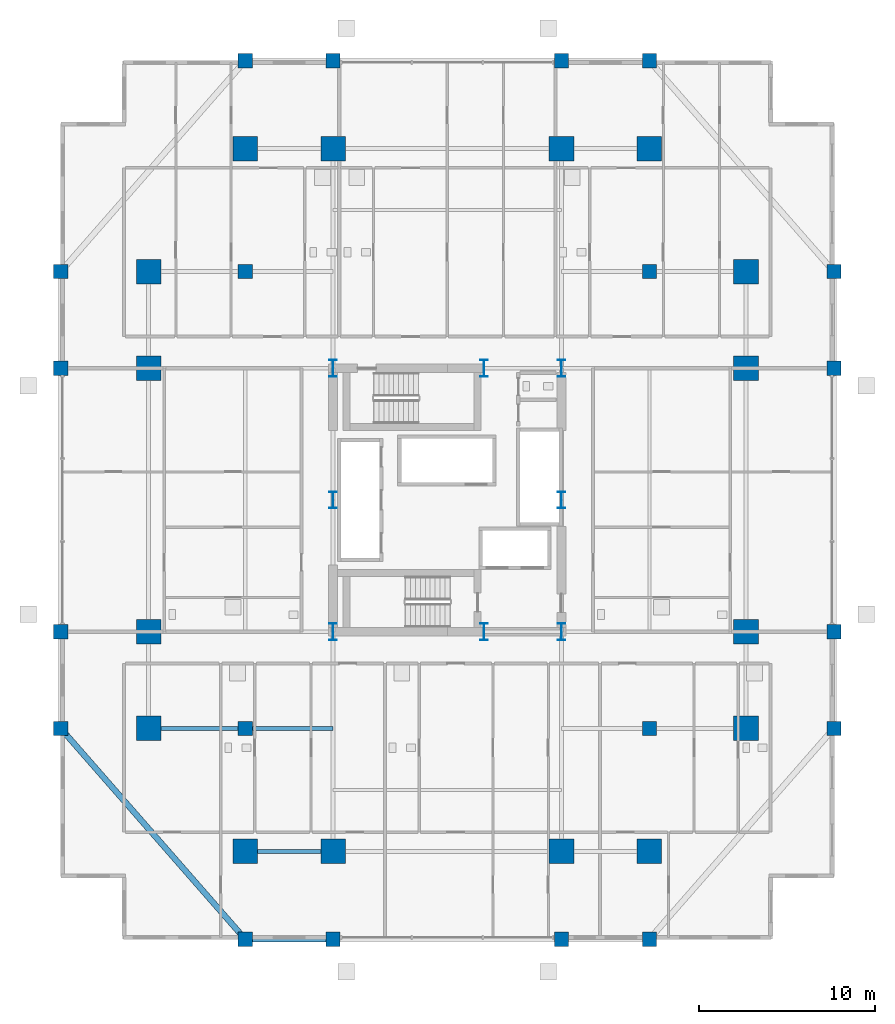
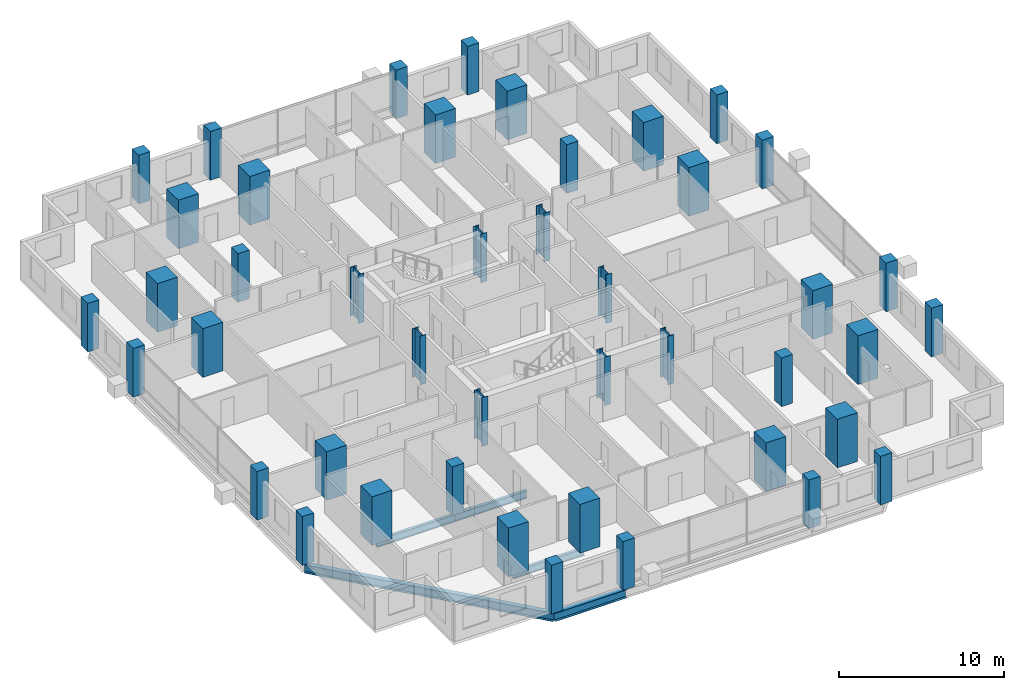
# One storey, part 1 of 24: 44 columns, 5 beams.
"""IFC4 building model written with IfcOpenShell, lengths in metres."""

from ifc_helpers import new_model, si_unit, direction, frame, origin, origin_2d, place, context, subcontext, project, spatial, rectangle, i_section, extrude, material, material_profile, profile_set, type_object, element, save


model = new_model("IFC4")

# Units and contexts
model_context = context("Model", 3, precision=1e-05, world=origin(), true_north=direction((0.0, 1.0)))
body_context = subcontext(model_context, "Body", "Model", "MODEL_VIEW")
ifc_project = project(units=[si_unit("LENGTHUNIT", "METRE"), si_unit("AREAUNIT", "SQUARE_METRE"), si_unit("VOLUMEUNIT", "CUBIC_METRE"), si_unit("PLANEANGLEUNIT", "RADIAN"), si_unit("MASSUNIT", "GRAM", prefix="KILO")], contexts=[model_context])

# Site, building, storey
site_placement = place(None, origin())
site = spatial("IfcSite", under=ifc_project, at=site_placement, CompositionType="ELEMENT")
building_placement = place(site_placement, origin())
building = spatial("IfcBuilding", under=site, at=building_placement, Name="Barlavira Tower and Art Museum", CompositionType="ELEMENT")
storey_placement = place(building_placement, frame((0.0, 0.0, 43.199951171875)))
storey = spatial("IfcBuildingStorey", under=building, at=storey_placement, Name="L09", CompositionType="ELEMENT", Elevation=43.199951171875)

# Columns
ifc_material_1 = material(Name="Steel S355", Category="steel")
ifc_material_profile_1 = material_profile(ifc_material_1, i_section(OverallWidth=0.419921875, OverallDepth=0.9599609375, WebThickness=0.02197265625, FlangeThickness=0.033935546875, at=origin_2d()), Name="W920x387.0")
ifc_profile_set_1 = profile_set([ifc_material_profile_1], Name="Steel S355")
column_type_1 = type_object("IfcColumnType", Name="Core Composite Column W920x387 Steel S355", PredefinedType="COLUMN", material=ifc_profile_set_1)
for number, where, z_axis, x_axis, name in (
    (1, (-6.5, -7.5, 0.0), (0.0, 0.0, 1.0), (1.0, 0.0, 0.0), "L09 Column CC-L09-C1"),
    (2, (2.080078125, -7.5, 0.0), (0.0, 0.0, 1.0), (1.0, 0.0, 0.0), "L09 Column CC-L09-C2"),
    (3, (6.5, -7.5, 0.0), (0.0, 0.0, 1.0), (1.0, 0.0, 0.0), "L09 Column CC-L09-C3"),
    (4, (-6.5, 0.0, 0.0), (0.0, 0.0, 1.0), (1.0, 0.0, 0.0), "L09 Column CC-L09-C4"),
    (5, (6.5, 0.0, 0.0), (0.0, 0.0, 1.0), (1.0, 0.0, 0.0), "L09 Column CC-L09-C5"),
    (6, (-6.5, 7.5, 0.0), (0.0, 0.0, 1.0), (1.0, 0.0, 0.0), "L09 Column CC-L09-C6"),
    (7, (2.080078125, 7.5, 0.0), (0.0, 0.0, 1.0), (1.0, 0.0, 0.0), "L09 Column CC-L09-C7"),
    (8, (6.5, 7.5, 0.0), (0.0, 0.0, 1.0), (1.0, 0.0, 0.0), "L09 Column CC-L09-C8"),
):
    element("IfcColumn", number, at=place(storey_placement, frame(where, z_axis=z_axis, x_axis=x_axis)), inside=storey, type_object=column_type_1, Name=name, PredefinedType="COLUMN", context=body_context, shape_type="SweptSolid", body=[
        extrude(i_section(OverallWidth=0.419921875, OverallDepth=0.9599609375, WebThickness=0.02197265625, FlangeThickness=0.033935546875, at=origin_2d()), origin(), (0.0, 0.0, 1.0), 3.60009765625),
    ])
ifc_material_2 = material(Name="Concrete C60", Category="concrete")
ifc_material_profile_2 = material_profile(ifc_material_2, rectangle(XDim=1.39990234375, YDim=1.39990234375, at=origin_2d()), Name="RC-MCOL 1400x1400")
ifc_profile_set_2 = profile_set([ifc_material_profile_2], Name="Concrete C60")
column_type_2 = type_object("IfcColumnType", Name="Perimeter Mega Column 1400x1400 Concrete C60", PredefinedType="USERDEFINED", material=ifc_profile_set_2)
for number, where, z_axis, x_axis, name in (
    (9, (-11.5, -20.0, 0.0), (0.0, 0.0, 1.0), (1.0, 0.0, 0.0), "L09 Column MC-L09-M01"),
    (10, (-6.5, -20.0, 0.0), (0.0, 0.0, 1.0), (1.0, 0.0, 0.0), "L09 Column MC-L09-M02"),
    (11, (6.5, -20.0, 0.0), (0.0, 0.0, 1.0), (1.0, 0.0, 0.0), "L09 Column MC-L09-M03"),
    (12, (11.5, -20.0, 0.0), (0.0, 0.0, 1.0), (1.0, 0.0, 0.0), "L09 Column MC-L09-M04"),
    (13, (17.0, -13.0, 0.0), (0.0, 0.0, 1.0), (1.0, 0.0, 0.0), "L09 Column MC-L09-M05"),
    (14, (17.0, -7.5, 0.0), (0.0, 0.0, 1.0), (1.0, 0.0, 0.0), "L09 Column MC-L09-M06"),
    (15, (17.0, 7.5, 0.0), (0.0, 0.0, 1.0), (1.0, 0.0, 0.0), "L09 Column MC-L09-M07"),
    (16, (17.0, 13.0, 0.0), (0.0, 0.0, 1.0), (1.0, 0.0, 0.0), "L09 Column MC-L09-M08"),
    (17, (11.5, 20.0, 0.0), (0.0, 0.0, 1.0), (1.0, 0.0, 0.0), "L09 Column MC-L09-M09"),
    (18, (6.5, 20.0, 0.0), (0.0, 0.0, 1.0), (1.0, 0.0, 0.0), "L09 Column MC-L09-M10"),
    (19, (-6.5, 20.0, 0.0), (0.0, 0.0, 1.0), (1.0, 0.0, 0.0), "L09 Column MC-L09-M11"),
    (20, (-11.5, 20.0, 0.0), (0.0, 0.0, 1.0), (1.0, 0.0, 0.0), "L09 Column MC-L09-M12"),
    (21, (-17.0, 13.0, 0.0), (0.0, 0.0, 1.0), (1.0, 0.0, 0.0), "L09 Column MC-L09-M13"),
    (22, (-17.0, 7.5, 0.0), (0.0, 0.0, 1.0), (1.0, 0.0, 0.0), "L09 Column MC-L09-M14"),
    (23, (-17.0, -7.5, 0.0), (0.0, 0.0, 1.0), (1.0, 0.0, 0.0), "L09 Column MC-L09-M15"),
    (24, (-17.0, -13.0, 0.0), (0.0, 0.0, 1.0), (1.0, 0.0, 0.0), "L09 Column MC-L09-M16"),
):
    element("IfcColumn", number, at=place(storey_placement, frame(where, z_axis=z_axis, x_axis=x_axis)), inside=storey, type_object=column_type_2, Name=name, ObjectType="MEGA COLUMN", PredefinedType="USERDEFINED", context=body_context, shape_type="SweptSolid", body=[
        extrude(rectangle(XDim=1.39990234375, YDim=1.39990234375, at=origin_2d()), origin(), (0.0, 0.0, 1.0), 3.60009765625),
    ])
ifc_material_3 = material(Name="Concrete C50", Category="concrete")
ifc_material_profile_3 = material_profile(ifc_material_3, rectangle(XDim=0.800048828125, YDim=0.800048828125, at=origin_2d()), Name="RC-COL 800x800")
ifc_profile_set_3 = profile_set([ifc_material_profile_3], Name="Concrete C50")
column_type_3 = type_object("IfcColumnType", Name="Podium Frame Column 800x800 Concrete C50", PredefinedType="COLUMN", material=ifc_profile_set_3)
for number, where, z_axis, x_axis, name in (
    (25, (-11.5, -13.0, 0.0), (0.0, 0.0, 1.0), (1.0, 0.0, 0.0), "L09 Column CI-L09-I1"),
    (26, (11.5, -13.0, 0.0), (0.0, 0.0, 1.0), (1.0, 0.0, 0.0), "L09 Column CI-L09-I2"),
    (27, (-11.5, 13.0, 0.0), (0.0, 0.0, 1.0), (1.0, 0.0, 0.0), "L09 Column CI-L09-I3"),
    (28, (11.5, 13.0, 0.0), (0.0, 0.0, 1.0), (1.0, 0.0, 0.0), "L09 Column CI-L09-I4"),
    (29, (-11.5, -25.0, 0.0), (0.0, 0.0, 1.0), (1.0, 0.0, 0.0), "L09 Column CZ1-L09-N01"),
    (30, (-6.5, -25.0, 0.0), (0.0, 0.0, 1.0), (1.0, 0.0, 0.0), "L09 Column CZ1-L09-N02"),
    (31, (6.5, -25.0, 0.0), (0.0, 0.0, 1.0), (1.0, 0.0, 0.0), "L09 Column CZ1-L09-N02B"),
    (32, (11.5, -25.0, 0.0), (0.0, 0.0, 1.0), (1.0, 0.0, 0.0), "L09 Column CZ1-L09-N03"),
    (33, (-22.0, -13.0, 0.0), (0.0, 0.0, 1.0), (1.0, 0.0, 0.0), "L09 Column CZ1-L09-N04"),
    (34, (-22.0, -7.5, 0.0), (0.0, 0.0, 1.0), (1.0, 0.0, 0.0), "L09 Column CZ1-L09-N05"),
    (35, (-22.0, 7.5, 0.0), (0.0, 0.0, 1.0), (1.0, 0.0, 0.0), "L09 Column CZ1-L09-N05B"),
    (36, (-22.0, 13.0, 0.0), (0.0, 0.0, 1.0), (1.0, 0.0, 0.0), "L09 Column CZ1-L09-N06"),
    (37, (-11.5, 25.0, 0.0), (0.0, 0.0, 1.0), (1.0, 0.0, 0.0), "L09 Column CZ1-L09-N07"),
    (38, (-6.5, 25.0, 0.0), (0.0, 0.0, 1.0), (1.0, 0.0, 0.0), "L09 Column CZ1-L09-N08"),
    (39, (6.5, 25.0, 0.0), (0.0, 0.0, 1.0), (1.0, 0.0, 0.0), "L09 Column CZ1-L09-N08B"),
    (40, (11.5, 25.0, 0.0), (0.0, 0.0, 1.0), (1.0, 0.0, 0.0), "L09 Column CZ1-L09-N09"),
    (41, (22.0, -13.0, 0.0), (0.0, 0.0, 1.0), (1.0, 0.0, 0.0), "L09 Column CZ1-L09-N10"),
    (42, (22.0, -7.5, 0.0), (0.0, 0.0, 1.0), (1.0, 0.0, 0.0), "L09 Column CZ1-L09-N11"),
    (43, (22.0, 7.5, 0.0), (0.0, 0.0, 1.0), (1.0, 0.0, 0.0), "L09 Column CZ1-L09-N11B"),
    (44, (22.0, 13.0, 0.0), (0.0, 0.0, 1.0), (1.0, 0.0, 0.0), "L09 Column CZ1-L09-N12"),
):
    element("IfcColumn", number, at=place(storey_placement, frame(where, z_axis=z_axis, x_axis=x_axis)), inside=storey, type_object=column_type_3, Name=name, PredefinedType="COLUMN", context=body_context, shape_type="SweptSolid", body=[
        extrude(rectangle(XDim=0.800048828125, YDim=0.800048828125, at=origin_2d()), origin(), (0.0, 0.0, 1.0), 3.60009765625),
    ])

# Beams
ifc_material_profile_4 = material_profile(ifc_material_1, i_section(OverallWidth=0.327880859375, OverallDepth=0.62890625, WebThickness=0.013916015625, FlangeThickness=0.021484375, at=origin_2d()), Name="W610x174.0")
ifc_profile_set_4 = profile_set([ifc_material_profile_4], Name="Steel S355")
beam_type_1 = type_object("IfcBeamType", Name="Perimeter Spandrel Edge Beam W610x174 Steel S355", PredefinedType="SPANDREL", material=ifc_profile_set_4)
beam_1_placement = place(storey_placement, frame((-11.5, -25.0, -0.534423828125), z_axis=(1.0, 0.0, 0.0), x_axis=(0.0, 1.0, 0.0)))
element("IfcBeam", 45, at=beam_1_placement, inside=storey, type_object=beam_type_1, Name="L09 Spandrel 1", PredefinedType="SPANDREL", context=body_context, shape_type="SweptSolid", body=[
    extrude(i_section(OverallWidth=0.327880859375, OverallDepth=0.62890625, WebThickness=0.013916015625, FlangeThickness=0.021484375, at=origin_2d()), origin(), (0.0, 0.0, 1.0), 5.0),
])
beam_2_placement = place(storey_placement, frame((-22.0, -13.0, -0.534423828125), z_axis=(0.658504607869, -0.752576694707, 0.0), x_axis=(0.752576694707, 0.658504607869, 0.0)))
element("IfcBeam", 46, at=beam_2_placement, inside=storey, type_object=beam_type_1, Name="L09 Spandrel 16", PredefinedType="SPANDREL", context=body_context, shape_type="SweptSolid", body=[
    extrude(i_section(OverallWidth=0.327880859375, OverallDepth=0.62890625, WebThickness=0.013916015625, FlangeThickness=0.021484375, at=origin_2d()), origin(), (0.0, 0.0, 1.0), 15.9453125),
])
ifc_material_profile_5 = material_profile(ifc_material_1, i_section(OverallWidth=0.214111328125, OverallDepth=0.549072265625, WebThickness=0.0146484375, FlangeThickness=0.023681640625, at=origin_2d()), Name="W530x138.0")
ifc_profile_set_5 = profile_set([ifc_material_profile_5], Name="Steel S355")
beam_type_2 = type_object("IfcBeamType", Name="Zone 1 Primary Floor Girder W530x138 Steel S355", PredefinedType="BEAM", material=ifc_profile_set_5)
beam_3_placement = place(storey_placement, frame((-11.5, -20.0, -0.494384765625), z_axis=(1.0, 0.0, 0.0), x_axis=(0.0, 1.0, 0.0)))
element("IfcBeam", 47, at=beam_3_placement, inside=storey, type_object=beam_type_2, Name="L09 Girder M-S1", PredefinedType="BEAM", context=body_context, shape_type="SweptSolid", body=[
    extrude(i_section(OverallWidth=0.214111328125, OverallDepth=0.549072265625, WebThickness=0.0146484375, FlangeThickness=0.023681640625, at=origin_2d()), origin(), (0.0, 0.0, 1.0), 5.0),
])
beam_4_placement = place(storey_placement, frame((-17.0, -13.0, -0.494384765625), z_axis=(1.0, 0.0, 0.0), x_axis=(0.0, 1.0, 0.0)))
element("IfcBeam", 48, at=beam_4_placement, inside=storey, type_object=beam_type_2, Name="L09 Girder I-S1", PredefinedType="BEAM", context=body_context, shape_type="SweptSolid", body=[
    extrude(i_section(OverallWidth=0.214111328125, OverallDepth=0.549072265625, WebThickness=0.0146484375, FlangeThickness=0.023681640625, at=origin_2d()), origin(), (0.0, 0.0, 1.0), 5.5),
])
beam_5_placement = place(storey_placement, frame((-11.5, -13.0, -0.494384765625), z_axis=(1.0, 0.0, 0.0), x_axis=(0.0, 1.0, 0.0)))
element("IfcBeam", 49, at=beam_5_placement, inside=storey, type_object=beam_type_2, Name="L09 Girder I-S2", PredefinedType="BEAM", context=body_context, shape_type="SweptSolid", body=[
    extrude(i_section(OverallWidth=0.214111328125, OverallDepth=0.549072265625, WebThickness=0.0146484375, FlangeThickness=0.023681640625, at=origin_2d()), origin(), (0.0, 0.0, 1.0), 5.0),
])

save(model, "model.ifc")
